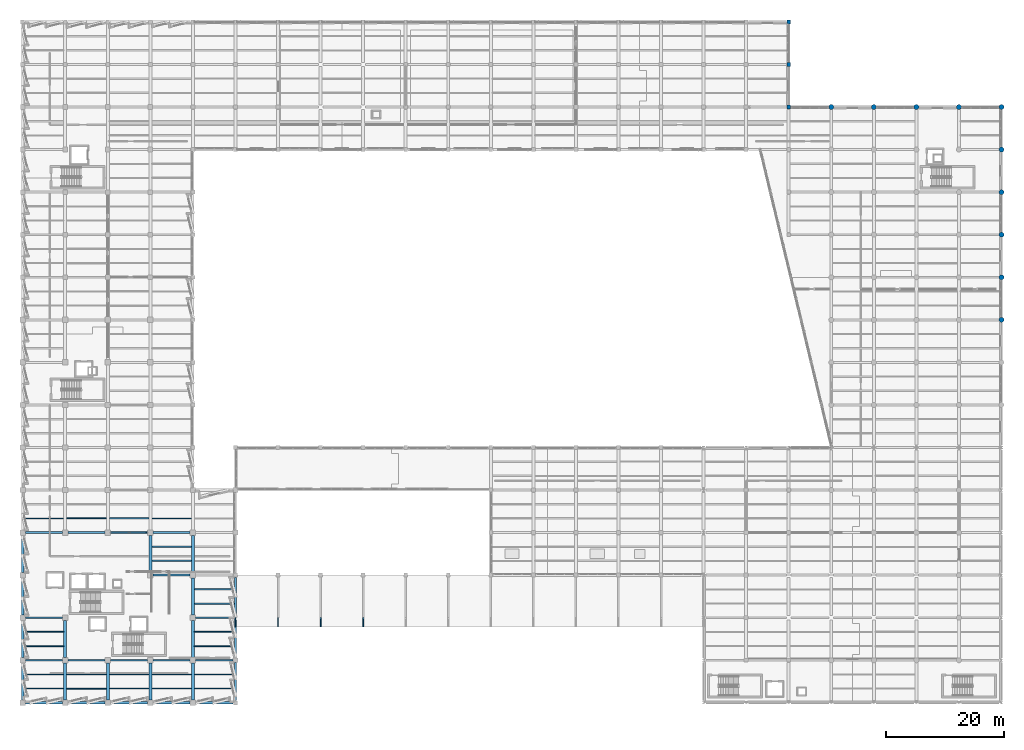
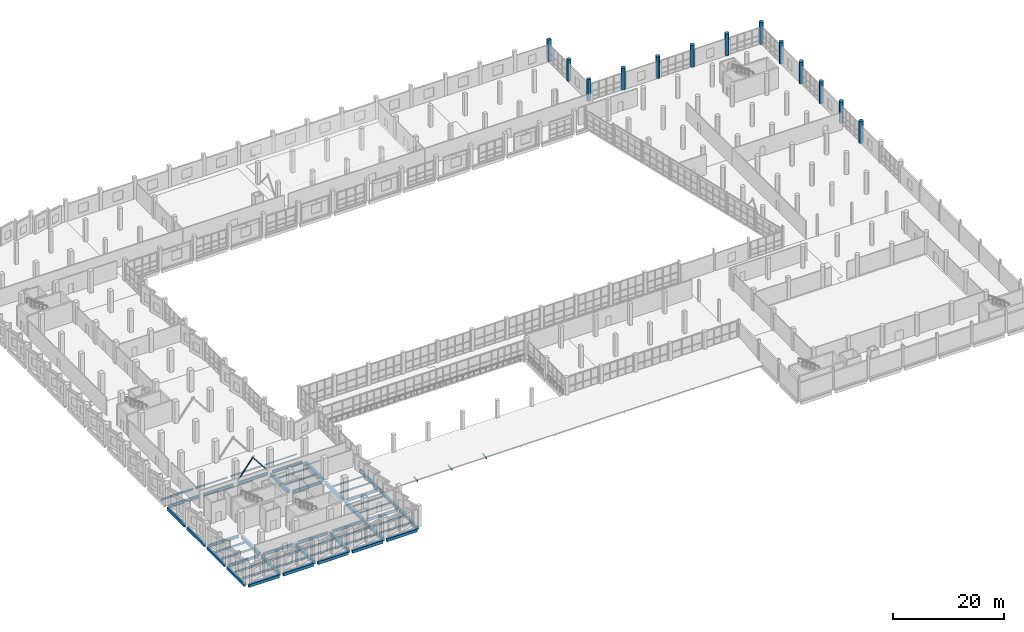
# One storey, part 12 of 127: 55 beams, 13 columns, 6 members.
"""IFC4 building model written with IfcOpenShell, lengths in metres."""

from ifc_helpers import new_model, si_unit, direction, frame, origin, origin_2d, place, context, subcontext, project, spatial, rectangle, hollow_rectangle, circle, i_section, extrude, material, material_profile, profile_set, type_object, element, save


model = new_model("IFC4")

# Units and contexts
model_context = context("Model", 3, precision=1e-05, world=origin(), true_north=direction((0.0, 1.0)))
body_context = subcontext(model_context, "Body", "Model", "MODEL_VIEW")
ifc_project = project(units=[si_unit("LENGTHUNIT", "METRE"), si_unit("AREAUNIT", "SQUARE_METRE"), si_unit("VOLUMEUNIT", "CUBIC_METRE"), si_unit("PLANEANGLEUNIT", "RADIAN"), si_unit("MASSUNIT", "GRAM", prefix="KILO")], contexts=[model_context])

# Site, building, storey
site_placement = place(None, origin())
site = spatial("IfcSite", under=ifc_project, at=site_placement, CompositionType="ELEMENT")
building_placement = place(site_placement, origin())
building = spatial("IfcBuilding", under=site, at=building_placement, Name="Kalmorath City Hall", CompositionType="ELEMENT")
storey_placement = place(building_placement, frame((0.0, 0.0, 5.39990234375)))
storey = spatial("IfcBuildingStorey", under=building, at=storey_placement, Name="L01", CompositionType="ELEMENT", Elevation=5.39990234375)

# Columns
ifc_material_1 = material(Name="Concrete C50/60", Category="concrete")
ifc_material_profile_1 = material_profile(ifc_material_1, circle(Radius=0.425048828125, at=origin_2d()), Name="RC-COL-D850")
ifc_profile_set_1 = profile_set([ifc_material_profile_1], Name="Concrete C50/60")
column_type_1 = type_object("IfcColumnType", Name="Circular concrete column D850", PredefinedType="COLUMN", material=ifc_profile_set_1)
for number, where, z_axis, x_axis, name in (
    (1, (136.800048828125, 100.800048828125, 0.0), (0.0, 0.0, 1.0), (1.0, 0.0, 0.0), "L01 column C7 (20/15)"),
    (2, (144.0, 100.800048828125, 0.0), (0.0, 0.0, 1.0), (1.0, 0.0, 0.0), "L01 column C7 (21/15)"),
    (3, (151.199951171875, 100.800048828125, 0.0), (0.0, 0.0, 1.0), (1.0, 0.0, 0.0), "L01 column C7 (22/15)"),
    (4, (158.39990234375, 100.800048828125, 0.0), (0.0, 0.0, 1.0), (1.0, 0.0, 0.0), "L01 column C7 (23/15)"),
    (5, (165.60009765625, 64.800048828125, 0.0), (0.0, 0.0, 1.0), (1.0, 0.0, 0.0), "L01 column C7 (24/10)"),
    (6, (165.60009765625, 72.0, 0.0), (0.0, 0.0, 1.0), (1.0, 0.0, 0.0), "L01 column C7 (24/11)"),
    (7, (165.60009765625, 79.199951171875, 0.0), (0.0, 0.0, 1.0), (1.0, 0.0, 0.0), "L01 column C7 (24/12)"),
    (8, (165.60009765625, 86.39990234375, 0.0), (0.0, 0.0, 1.0), (1.0, 0.0, 0.0), "L01 column C7 (24/13)"),
    (9, (165.60009765625, 93.60009765625, 0.0), (0.0, 0.0, 1.0), (1.0, 0.0, 0.0), "L01 column C7 (24/14)"),
    (10, (165.60009765625, 100.800048828125, 0.0), (0.0, 0.0, 1.0), (1.0, 0.0, 0.0), "L01 column C7 (24/15)"),
):
    element("IfcColumn", number, at=place(storey_placement, frame(where, z_axis=z_axis, x_axis=x_axis)), inside=storey, type_object=column_type_1, Name=name, PredefinedType="COLUMN", context=body_context, shape_type="SweptSolid", body=[
        extrude(circle(Radius=0.425048828125, at=origin_2d()), origin(), (0.0, 0.0, 1.0), 4.800048828125),
    ])
ifc_material_2 = material(Name="Concrete C50/60", Category="concrete")
ifc_material_profile_2 = material_profile(ifc_material_2, rectangle(XDim=0.64990234375, YDim=0.64990234375, at=origin_2d()), Name="RC-COL-650X650")
ifc_profile_set_2 = profile_set([ifc_material_profile_2], Name="Concrete C50/60")
column_type_2 = type_object("IfcColumnType", Name="Concrete column 650x650", PredefinedType="COLUMN", material=ifc_profile_set_2)
for number, where, z_axis, x_axis, name in (
    (11, (129.60009765625, 100.800048828125, 0.0), (0.0, 0.0, 1.0), (1.0, 0.0, 0.0), "L01 column C5 (19/15)"),
    (12, (129.60009765625, 108.0, 0.0), (0.0, 0.0, 1.0), (1.0, 0.0, 0.0), "L01 column C5 (19/16)"),
    (13, (129.60009765625, 115.199951171875, 0.0), (0.0, 0.0, 1.0), (1.0, 0.0, 0.0), "L01 column C5 (19/17)"),
):
    element("IfcColumn", number, at=place(storey_placement, frame(where, z_axis=z_axis, x_axis=x_axis)), inside=storey, type_object=column_type_2, Name=name, PredefinedType="COLUMN", context=body_context, shape_type="SweptSolid", body=[
        extrude(rectangle(XDim=0.64990234375, YDim=0.64990234375, at=origin_2d()), origin(), (0.0, 0.0, 1.0), 4.800048828125),
    ])

# Beams
ifc_material_3 = material(Name="Concrete C40/50", Category="concrete")
ifc_material_profile_3 = material_profile(ifc_material_3, rectangle(XDim=0.39990234375, YDim=0.60009765625, at=origin_2d()), Name="RC-BM-400X600")
ifc_profile_set_3 = profile_set([ifc_material_profile_3], Name="Concrete C40/50")
beam_type_1 = type_object("IfcBeamType", Name="Concrete edge beam 400x600", PredefinedType="SPANDREL", material=ifc_profile_set_3)
for number, where, z_axis, x_axis, name in (
    (14, (0.0, 0.449951171875, -0.6240234375), (0.0, 1.0, 0.0), (-1.0, 0.0, 0.0), "L01 girder CB6 Y1/1-2"),
    (15, (0.0, 7.64990234375, -0.6240234375), (0.0, 1.0, 0.0), (-1.0, 0.0, 0.0), "L01 girder CB6 Y1/2-3"),
):
    element("IfcBeam", number, at=place(storey_placement, frame(where, z_axis=z_axis, x_axis=x_axis)), inside=storey, type_object=beam_type_1, Name=name, PredefinedType="SPANDREL", context=body_context, shape_type="SweptSolid", body=[
        extrude(rectangle(XDim=0.39990234375, YDim=0.60009765625, at=origin_2d()), origin(), (0.0, 0.0, 1.0), 6.300048828125),
    ])
beam_1_placement = place(storey_placement, frame((0.0, 14.85009765625, -0.6240234375), z_axis=(0.0, 1.0, 0.0), x_axis=(-1.0, 0.0, 0.0)))
element("IfcBeam", 16, at=beam_1_placement, inside=storey, type_object=beam_type_1, Name="L01 girder CB6 Y1/3-4", PredefinedType="SPANDREL", context=body_context, shape_type="SweptSolid", body=[
    extrude(rectangle(XDim=0.39990234375, YDim=0.60009765625, at=origin_2d()), origin(), (0.0, 0.0, 1.0), 6.2998046875),
])
beam_2_placement = place(storey_placement, frame((0.0, 22.050048828125, -0.6240234375), z_axis=(0.0, 1.0, 0.0), x_axis=(-1.0, 0.0, 0.0)))
element("IfcBeam", 17, at=beam_2_placement, inside=storey, type_object=beam_type_1, Name="L01 girder CB6 Y1/4-5", PredefinedType="SPANDREL", context=body_context, shape_type="SweptSolid", body=[
    extrude(rectangle(XDim=0.39990234375, YDim=0.60009765625, at=origin_2d()), origin(), (0.0, 0.0, 1.0), 6.300048828125),
])
beam_3_placement = place(storey_placement, frame((36.0, 0.375, -0.6240234375), z_axis=(0.0, 1.0, 0.0), x_axis=(-1.0, 0.0, 0.0)))
element("IfcBeam", 18, at=beam_3_placement, inside=storey, type_object=beam_type_1, Name="L01 girder CB6 Y6/1-2", PredefinedType="SPANDREL", context=body_context, shape_type="SweptSolid", body=[
    extrude(rectangle(XDim=0.39990234375, YDim=0.60009765625, at=origin_2d()), origin(), (0.0, 0.0, 1.0), 6.425048828125),
])
beam_4_placement = place(storey_placement, frame((36.0, 7.60009765625, -0.6240234375), z_axis=(0.0, 1.0, 0.0), x_axis=(-1.0, 0.0, 0.0)))
element("IfcBeam", 19, at=beam_4_placement, inside=storey, type_object=beam_type_1, Name="L01 girder CB6 Y6/2-3", PredefinedType="SPANDREL", context=body_context, shape_type="SweptSolid", body=[
    extrude(rectangle(XDim=0.39990234375, YDim=0.60009765625, at=origin_2d()), origin(), (0.0, 0.0, 1.0), 6.449951171875),
])
beam_5_placement = place(storey_placement, frame((36.0, 14.75, -0.6240234375), z_axis=(0.0, 1.0, 0.0), x_axis=(-1.0, 0.0, 0.0)))
element("IfcBeam", 20, at=beam_5_placement, inside=storey, type_object=beam_type_1, Name="L01 girder CB6 Y6/3-4", PredefinedType="SPANDREL", context=body_context, shape_type="SweptSolid", body=[
    extrude(rectangle(XDim=0.39990234375, YDim=0.60009765625, at=origin_2d()), origin(), (0.0, 0.0, 1.0), 6.47509765625),
])
ifc_material_4 = material(Name="Concrete C40/50", Category="concrete")
ifc_material_profile_4 = material_profile(ifc_material_4, rectangle(XDim=0.5, YDim=0.75, at=origin_2d()), Name="RC-BM-500X750")
ifc_profile_set_4 = profile_set([ifc_material_profile_4], Name="Concrete C40/50")
beam_type_2 = type_object("IfcBeamType", Name="Concrete floor beam 500x750", PredefinedType="BEAM", material=ifc_profile_set_4)
for number, where, z_axis, x_axis, name in (
    (21, (7.199951171875, 0.449951171875, -0.698974609375), (0.0, 1.0, 0.0), (-1.0, 0.0, 0.0), "L01 girder CB3 Y2/1-2"),
    (22, (7.199951171875, 7.64990234375, -0.698974609375), (0.0, 1.0, 0.0), (-1.0, 0.0, 0.0), "L01 girder CB3 Y2/2-3"),
    (23, (14.39990234375, 0.449951171875, -0.698974609375), (0.0, 1.0, 0.0), (-1.0, 0.0, 0.0), "L01 girder CB3 Y3/1-2"),
    (24, (21.60009765625, 0.449951171875, -0.698974609375), (0.0, 1.0, 0.0), (-1.0, 0.0, 0.0), "L01 girder CB3 Y4/1-2"),
    (25, (21.60009765625, 22.050048828125, -0.698974609375), (0.0, 1.0, 0.0), (-1.0, 0.0, 0.0), "L01 girder CB3 Y4/4-5"),
    (26, (28.800048828125, 0.449951171875, -0.698974609375), (0.0, 1.0, 0.0), (-1.0, 0.0, 0.0), "L01 girder CB3 Y5/1-2"),
    (27, (28.800048828125, 7.64990234375, -0.698974609375), (0.0, 1.0, 0.0), (-1.0, 0.0, 0.0), "L01 girder CB3 Y5/2-3"),
):
    element("IfcBeam", number, at=place(storey_placement, frame(where, z_axis=z_axis, x_axis=x_axis)), inside=storey, type_object=beam_type_2, Name=name, PredefinedType="BEAM", context=body_context, shape_type="SweptSolid", body=[
        extrude(rectangle(XDim=0.5, YDim=0.75, at=origin_2d()), origin(), (0.0, 0.0, 1.0), 6.300048828125),
    ])
beam_6_placement = place(storey_placement, frame((28.800048828125, 14.85009765625, -0.698974609375), z_axis=(0.0, 1.0, 0.0), x_axis=(-1.0, 0.0, 0.0)))
element("IfcBeam", 28, at=beam_6_placement, inside=storey, type_object=beam_type_2, Name="L01 girder CB3 Y5/3-4", PredefinedType="BEAM", context=body_context, shape_type="SweptSolid", body=[
    extrude(rectangle(XDim=0.5, YDim=0.75, at=origin_2d()), origin(), (0.0, 0.0, 1.0), 6.2998046875),
])
beam_7_placement = place(storey_placement, frame((28.800048828125, 22.050048828125, -0.698974609375), z_axis=(0.0, 1.0, 0.0), x_axis=(-1.0, 0.0, 0.0)))
element("IfcBeam", 29, at=beam_7_placement, inside=storey, type_object=beam_type_2, Name="L01 girder CB3 Y5/4-5", PredefinedType="BEAM", context=body_context, shape_type="SweptSolid", body=[
    extrude(rectangle(XDim=0.5, YDim=0.75, at=origin_2d()), origin(), (0.0, 0.0, 1.0), 6.300048828125),
])
ifc_material_5 = material(Name="Concrete C40/50", Category="concrete")
ifc_material_profile_5 = material_profile(ifc_material_5, rectangle(XDim=0.449951171875, YDim=0.64990234375, at=origin_2d()), Name="RC-BM-450X650")
ifc_profile_set_5 = profile_set([ifc_material_profile_5], Name="Concrete C40/50")
beam_type_3 = type_object("IfcBeamType", Name="Concrete spandrel beam 450x650", PredefinedType="SPANDREL", material=ifc_profile_set_5)
for number, where, z_axis, x_axis, name in (
    (30, (0.449951171875, 0.0, -0.64892578125), (1.0, 0.0, 0.0), (0.0, 1.0, 0.0), "L01 girder CB5 X1-2/1"),
    (31, (7.64990234375, 0.0, -0.64892578125), (1.0, 0.0, 0.0), (0.0, 1.0, 0.0), "L01 girder CB5 X2-3/1"),
):
    element("IfcBeam", number, at=place(storey_placement, frame(where, z_axis=z_axis, x_axis=x_axis)), inside=storey, type_object=beam_type_3, Name=name, PredefinedType="SPANDREL", context=body_context, shape_type="SweptSolid", body=[
        extrude(rectangle(XDim=0.449951171875, YDim=0.64990234375, at=origin_2d()), origin(), (0.0, 0.0, 1.0), 6.300048828125),
    ])
beam_8_placement = place(storey_placement, frame((14.85009765625, 0.0, -0.64892578125), z_axis=(1.0, 0.0, 0.0), x_axis=(0.0, 1.0, 0.0)))
element("IfcBeam", 32, at=beam_8_placement, inside=storey, type_object=beam_type_3, Name="L01 girder CB5 X3-4/1", PredefinedType="SPANDREL", context=body_context, shape_type="SweptSolid", body=[
    extrude(rectangle(XDim=0.449951171875, YDim=0.64990234375, at=origin_2d()), origin(), (0.0, 0.0, 1.0), 6.2998046875),
])
beam_9_placement = place(storey_placement, frame((22.050048828125, 0.0, -0.64892578125), z_axis=(1.0, 0.0, 0.0), x_axis=(0.0, 1.0, 0.0)))
element("IfcBeam", 33, at=beam_9_placement, inside=storey, type_object=beam_type_3, Name="L01 girder CB5 X4-5/1", PredefinedType="SPANDREL", context=body_context, shape_type="SweptSolid", body=[
    extrude(rectangle(XDim=0.449951171875, YDim=0.64990234375, at=origin_2d()), origin(), (0.0, 0.0, 1.0), 6.300048828125),
])
beam_10_placement = place(storey_placement, frame((29.25, 0.0, -0.64892578125), z_axis=(1.0, 0.0, 0.0), x_axis=(0.0, 1.0, 0.0)))
element("IfcBeam", 34, at=beam_10_placement, inside=storey, type_object=beam_type_3, Name="L01 girder CB5 X5-6/1", PredefinedType="SPANDREL", context=body_context, shape_type="SweptSolid", body=[
    extrude(rectangle(XDim=0.449951171875, YDim=0.64990234375, at=origin_2d()), origin(), (0.0, 0.0, 1.0), 6.375),
])
ifc_material_6 = material(Name="Steel ASTM A992 Grade 50", Category="steel")
ifc_material_profile_6 = material_profile(ifc_material_6, i_section(OverallWidth=0.177001953125, OverallDepth=0.403076171875, WebThickness=0.007568359375, FlangeThickness=0.010986328125, FilletRadius=0.012939453125, at=origin_2d()), Name="W16X36")
ifc_profile_set_6 = profile_set([ifc_material_profile_6], Name="Steel ASTM A992 Grade 50")
beam_type_4 = type_object("IfcBeamType", Name="Steel composite joist W16X36", PredefinedType="JOIST", material=ifc_profile_set_6)
for number, where, z_axis, x_axis, name in (
    (35, (0.199951171875, 31.199951171875, -0.525390625), (1.0, 0.0, 0.0), (0.0, 1.0, 0.0), "L01 joist SJ7 1.5.1"),
    (36, (29.050048828125, 2.39990234375, -0.525390625), (1.0, 0.0, 0.0), (0.0, 1.0, 0.0), "L01 joist SJ7 5.1.1"),
    (37, (29.050048828125, 4.800048828125, -0.525390625), (1.0, 0.0, 0.0), (0.0, 1.0, 0.0), "L01 joist SJ7 5.1.2"),
):
    element("IfcBeam", number, at=place(storey_placement, frame(where, z_axis=z_axis, x_axis=x_axis)), inside=storey, type_object=beam_type_4, Name=name, PredefinedType="JOIST", context=body_context, shape_type="SweptSolid", body=[
        extrude(i_section(OverallWidth=0.177001953125, OverallDepth=0.403076171875, WebThickness=0.007568359375, FlangeThickness=0.010986328125, FilletRadius=0.012939453125, at=origin_2d()), origin(), (0.0, 0.0, 1.0), 6.75),
    ])
ifc_material_7 = material(Name="Steel ASTM A992 Grade 50", Category="steel")
ifc_material_profile_7 = material_profile(ifc_material_7, i_section(OverallWidth=0.178955078125, OverallDepth=0.409912109375, WebThickness=0.0087890625, FlangeThickness=0.014404296875, FilletRadius=0.012939453125, at=origin_2d()), Name="W16X45")
ifc_profile_set_7 = profile_set([ifc_material_profile_7], Name="Steel ASTM A992 Grade 50")
beam_type_5 = type_object("IfcBeamType", Name="Steel composite joist W16X45", PredefinedType="JOIST", material=ifc_profile_set_7)
for number, where, z_axis, x_axis, name in (
    (38, (21.85009765625, 2.39990234375, -0.52880859375), (1.0, 0.0, 0.0), (0.0, 1.0, 0.0), "L01 joist SJ6 4.1.1"),
    (39, (21.85009765625, 4.800048828125, -0.52880859375), (1.0, 0.0, 0.0), (0.0, 1.0, 0.0), "L01 joist SJ6 4.1.2"),
):
    element("IfcBeam", number, at=place(storey_placement, frame(where, z_axis=z_axis, x_axis=x_axis)), inside=storey, type_object=beam_type_5, Name=name, PredefinedType="JOIST", context=body_context, shape_type="SweptSolid", body=[
        extrude(i_section(OverallWidth=0.178955078125, OverallDepth=0.409912109375, WebThickness=0.0087890625, FlangeThickness=0.014404296875, FilletRadius=0.012939453125, at=origin_2d()), origin(), (0.0, 0.0, 1.0), 6.699951171875),
    ])
ifc_material_8 = material(Name="Steel ASTM A992 Grade 50", Category="steel")
ifc_material_profile_8 = material_profile(ifc_material_8, i_section(OverallWidth=0.180908203125, OverallDepth=0.4169921875, WebThickness=0.010986328125, FlangeThickness=0.018310546875, FilletRadius=0.012939453125, at=origin_2d()), Name="W16X57")
ifc_profile_set_8 = profile_set([ifc_material_profile_8], Name="Steel ASTM A992 Grade 50")
beam_type_6 = type_object("IfcBeamType", Name="Steel composite joist W16X57", PredefinedType="JOIST", material=ifc_profile_set_8)
for number, where, z_axis, x_axis, name in (
    (40, (14.64990234375, 2.39990234375, -0.532470703125), (1.0, 0.0, 0.0), (0.0, 1.0, 0.0), "L01 joist SJ5 3.1.1"),
    (41, (14.64990234375, 4.800048828125, -0.532470703125), (1.0, 0.0, 0.0), (0.0, 1.0, 0.0), "L01 joist SJ5 3.1.2"),
):
    element("IfcBeam", number, at=place(storey_placement, frame(where, z_axis=z_axis, x_axis=x_axis)), inside=storey, type_object=beam_type_6, Name=name, PredefinedType="JOIST", context=body_context, shape_type="SweptSolid", body=[
        extrude(i_section(OverallWidth=0.180908203125, OverallDepth=0.4169921875, WebThickness=0.010986328125, FlangeThickness=0.018310546875, FilletRadius=0.012939453125, at=origin_2d()), origin(), (0.0, 0.0, 1.0), 6.7001953125),
    ])
ifc_material_9 = material(Name="Steel ASTM A992 Grade 50", Category="steel")
ifc_material_profile_9 = material_profile(ifc_material_9, i_section(OverallWidth=0.153076171875, OverallDepth=0.455078125, WebThickness=0.008056640625, FlangeThickness=0.01318359375, FilletRadius=0.013916015625, at=origin_2d()), Name="W18X40")
ifc_profile_set_9 = profile_set([ifc_material_profile_9], Name="Steel ASTM A992 Grade 50")
beam_type_7 = type_object("IfcBeamType", Name="Steel composite joist W18X40", PredefinedType="JOIST", material=ifc_profile_set_9)
for number, where, z_axis, x_axis, name in (
    (42, (0.199951171875, 9.60009765625, -0.551513671875), (1.0, 0.0, 0.0), (0.0, 1.0, 0.0), "L01 joist SJ4 1.2.1"),
    (43, (0.199951171875, 12.0, -0.551513671875), (1.0, 0.0, 0.0), (0.0, 1.0, 0.0), "L01 joist SJ4 1.2.2"),
):
    element("IfcBeam", number, at=place(storey_placement, frame(where, z_axis=z_axis, x_axis=x_axis)), inside=storey, type_object=beam_type_7, Name=name, PredefinedType="JOIST", context=body_context, shape_type="SweptSolid", body=[
        extrude(i_section(OverallWidth=0.153076171875, OverallDepth=0.455078125, WebThickness=0.008056640625, FlangeThickness=0.01318359375, FilletRadius=0.013916015625, at=origin_2d()), origin(), (0.0, 0.0, 1.0), 6.75),
    ])
for number, where, z_axis, x_axis, name in (
    (44, (7.449951171875, 2.39990234375, -0.551513671875), (1.0, 0.0, 0.0), (0.0, 1.0, 0.0), "L01 joist SJ4 2.1.1"),
    (45, (7.449951171875, 4.800048828125, -0.551513671875), (1.0, 0.0, 0.0), (0.0, 1.0, 0.0), "L01 joist SJ4 2.1.2"),
):
    element("IfcBeam", number, at=place(storey_placement, frame(where, z_axis=z_axis, x_axis=x_axis)), inside=storey, type_object=beam_type_7, Name=name, PredefinedType="JOIST", context=body_context, shape_type="SweptSolid", body=[
        extrude(i_section(OverallWidth=0.153076171875, OverallDepth=0.455078125, WebThickness=0.008056640625, FlangeThickness=0.01318359375, FilletRadius=0.013916015625, at=origin_2d()), origin(), (0.0, 0.0, 1.0), 6.699951171875),
    ])
ifc_material_10 = material(Name="Steel ASTM A992 Grade 50", Category="steel")
ifc_material_profile_10 = material_profile(ifc_material_10, i_section(OverallWidth=0.19091796875, OverallDepth=0.45703125, WebThickness=0.009033203125, FlangeThickness=0.014404296875, FilletRadius=0.013916015625, at=origin_2d()), Name="W18X50")
ifc_profile_set_10 = profile_set([ifc_material_profile_10], Name="Steel ASTM A992 Grade 50")
beam_type_8 = type_object("IfcBeamType", Name="Steel composite joist W18X50", PredefinedType="JOIST", material=ifc_profile_set_10)
for number, where, z_axis, x_axis, name in (
    (46, (0.199951171875, 2.39990234375, -0.552490234375), (1.0, 0.0, 0.0), (0.0, 1.0, 0.0), "L01 joist SJ3 1.1.1"),
    (47, (0.199951171875, 4.800048828125, -0.552490234375), (1.0, 0.0, 0.0), (0.0, 1.0, 0.0), "L01 joist SJ3 1.1.2"),
):
    element("IfcBeam", number, at=place(storey_placement, frame(where, z_axis=z_axis, x_axis=x_axis)), inside=storey, type_object=beam_type_8, Name=name, PredefinedType="JOIST", context=body_context, shape_type="SweptSolid", body=[
        extrude(i_section(OverallWidth=0.19091796875, OverallDepth=0.45703125, WebThickness=0.009033203125, FlangeThickness=0.014404296875, FilletRadius=0.013916015625, at=origin_2d()), origin(), (0.0, 0.0, 1.0), 6.75),
    ])

# Members
ifc_material_11 = material(Name="Steel ASTM A992 Grade 50", Category="steel")
ifc_material_profile_11 = material_profile(ifc_material_11, i_section(OverallWidth=0.1669921875, OverallDepth=0.318115234375, WebThickness=0.007568359375, FlangeThickness=0.01318359375, FilletRadius=0.012939453125, at=origin_2d()), Name="W12X35")
ifc_profile_set_11 = profile_set([ifc_material_profile_11], Name="Steel ASTM A992 Grade 50")
member_type_1 = type_object("IfcMemberType", Name="Steel eave outlooker rafter W12X35", PredefinedType="RAFTER", material=ifc_profile_set_11)
for number, where, z_axis, x_axis, name in (
    (48, (36.0, 12.89990234375, -0.3798828125), (0.0, 0.999199399207, 0.040007007195), (-1.0, 0.0, 0.0), "Storm arcade eave outlooker RF4-1"),
    (49, (43.199951171875, 12.89990234375, -0.3798828125), (0.0, 0.999199399207, 0.040007007195), (-1.0, 0.0, 0.0), "Storm arcade eave outlooker RF4-2"),
    (50, (50.39990234375, 12.89990234375, -0.3798828125), (0.0, 0.999199399207, 0.040007007195), (-1.0, 0.0, 0.0), "Storm arcade eave outlooker RF4-3"),
    (51, (57.60009765625, 12.89990234375, -0.3798828125), (0.0, 0.999199399207, 0.040007007195), (-1.0, 0.0, 0.0), "Storm arcade eave outlooker RF4-4"),
):
    element("IfcMember", number, at=place(storey_placement, frame(where, z_axis=z_axis, x_axis=x_axis)), inside=storey, type_object=member_type_1, Name=name, PredefinedType="RAFTER", context=body_context, shape_type="SweptSolid", body=[
        extrude(i_section(OverallWidth=0.1669921875, OverallDepth=0.318115234375, WebThickness=0.007568359375, FlangeThickness=0.01318359375, FilletRadius=0.012939453125, at=origin_2d()), origin(), (0.0, 0.0, 1.0), 1.501220703125),
    ])

# Beams
ifc_material_12 = material(Name="Steel ASTM A992 Grade 50", Category="steel")
ifc_material_profile_12 = material_profile(ifc_material_12, i_section(OverallWidth=0.202880859375, OverallDepth=0.202880859375, WebThickness=0.007080078125, FlangeThickness=0.010986328125, FilletRadius=0.010986328125, at=origin_2d()), Name="W8X31")
ifc_profile_set_12 = profile_set([ifc_material_profile_12], Name="Steel ASTM A992 Grade 50")
beam_type_9 = type_object("IfcBeamType", Name="Steel edge trimmer W8X31", PredefinedType="LINTEL", material=ifc_profile_set_12)
beam_11_placement = place(storey_placement, frame((21.85009765625, 31.199951171875, -0.42529296875), z_axis=(1.0, 0.0, 0.0), x_axis=(0.0, 1.0, 0.0)))
element("IfcBeam", 52, at=beam_11_placement, inside=storey, type_object=beam_type_9, Name="L01 joist SJ16 4.5.1", PredefinedType="LINTEL", context=body_context, shape_type="SweptSolid", body=[
    extrude(i_section(OverallWidth=0.202880859375, OverallDepth=0.202880859375, WebThickness=0.007080078125, FlangeThickness=0.010986328125, FilletRadius=0.010986328125, at=origin_2d()), origin(), (0.0, 0.0, 1.0), 6.699951171875),
])
ifc_material_13 = material(Name="Steel ASTM A992 Grade 50", Category="steel")
ifc_material_profile_13 = material_profile(ifc_material_13, i_section(OverallWidth=0.323974609375, OverallDepth=0.611083984375, WebThickness=0.0126953125, FlangeThickness=0.01904296875, FilletRadius=0.01611328125, at=origin_2d()), Name="W24X104")
ifc_profile_set_13 = profile_set([ifc_material_profile_13], Name="Steel ASTM A992 Grade 50")
beam_type_10 = type_object("IfcBeamType", Name="Steel floor girder W24X104", PredefinedType="BEAM", material=ifc_profile_set_13)
for number, where, z_axis, x_axis, name in (
    (53, (0.449951171875, 7.199951171875, -0.62939453125), (1.0, 0.0, 0.0), (0.0, 1.0, 0.0), "L01 girder SG7 X1-2/2"),
    (54, (7.64990234375, 7.199951171875, -0.62939453125), (1.0, 0.0, 0.0), (0.0, 1.0, 0.0), "L01 girder SG7 X2-3/2"),
):
    element("IfcBeam", number, at=place(storey_placement, frame(where, z_axis=z_axis, x_axis=x_axis)), inside=storey, type_object=beam_type_10, Name=name, PredefinedType="BEAM", context=body_context, shape_type="SweptSolid", body=[
        extrude(i_section(OverallWidth=0.323974609375, OverallDepth=0.611083984375, WebThickness=0.0126953125, FlangeThickness=0.01904296875, FilletRadius=0.01611328125, at=origin_2d()), origin(), (0.0, 0.0, 1.0), 6.300048828125),
    ])
beam_12_placement = place(storey_placement, frame((14.85009765625, 7.199951171875, -0.62939453125), z_axis=(1.0, 0.0, 0.0), x_axis=(0.0, 1.0, 0.0)))
element("IfcBeam", 55, at=beam_12_placement, inside=storey, type_object=beam_type_10, Name="L01 girder SG7 X3-4/2", PredefinedType="BEAM", context=body_context, shape_type="SweptSolid", body=[
    extrude(i_section(OverallWidth=0.323974609375, OverallDepth=0.611083984375, WebThickness=0.0126953125, FlangeThickness=0.01904296875, FilletRadius=0.01611328125, at=origin_2d()), origin(), (0.0, 0.0, 1.0), 6.2998046875),
])
beam_13_placement = place(storey_placement, frame((22.050048828125, 7.199951171875, -0.62939453125), z_axis=(1.0, 0.0, 0.0), x_axis=(0.0, 1.0, 0.0)))
element("IfcBeam", 56, at=beam_13_placement, inside=storey, type_object=beam_type_10, Name="L01 girder SG7 X4-5/2", PredefinedType="BEAM", context=body_context, shape_type="SweptSolid", body=[
    extrude(i_section(OverallWidth=0.323974609375, OverallDepth=0.611083984375, WebThickness=0.0126953125, FlangeThickness=0.01904296875, FilletRadius=0.01611328125, at=origin_2d()), origin(), (0.0, 0.0, 1.0), 6.300048828125),
])
beam_14_placement = place(storey_placement, frame((29.25, 7.199951171875, -0.62939453125), z_axis=(1.0, 0.0, 0.0), x_axis=(0.0, 1.0, 0.0)))
element("IfcBeam", 57, at=beam_14_placement, inside=storey, type_object=beam_type_10, Name="L01 girder SG7 X5-6/2", PredefinedType="BEAM", context=body_context, shape_type="SweptSolid", body=[
    extrude(i_section(OverallWidth=0.323974609375, OverallDepth=0.611083984375, WebThickness=0.0126953125, FlangeThickness=0.01904296875, FilletRadius=0.01611328125, at=origin_2d()), origin(), (0.0, 0.0, 1.0), 6.35009765625),
])
beam_15_placement = place(storey_placement, frame((0.449951171875, 14.39990234375, -0.62939453125), z_axis=(1.0, 0.0, 0.0), x_axis=(0.0, 1.0, 0.0)))
element("IfcBeam", 58, at=beam_15_placement, inside=storey, type_object=beam_type_10, Name="L01 girder SG7 X1-2/3", PredefinedType="BEAM", context=body_context, shape_type="SweptSolid", body=[
    extrude(i_section(OverallWidth=0.323974609375, OverallDepth=0.611083984375, WebThickness=0.0126953125, FlangeThickness=0.01904296875, FilletRadius=0.01611328125, at=origin_2d()), origin(), (0.0, 0.0, 1.0), 6.300048828125),
])
beam_16_placement = place(storey_placement, frame((29.25, 14.39990234375, -0.62939453125), z_axis=(1.0, 0.0, 0.0), x_axis=(0.0, 1.0, 0.0)))
element("IfcBeam", 59, at=beam_16_placement, inside=storey, type_object=beam_type_10, Name="L01 girder SG7 X5-6/3", PredefinedType="BEAM", context=body_context, shape_type="SweptSolid", body=[
    extrude(i_section(OverallWidth=0.323974609375, OverallDepth=0.611083984375, WebThickness=0.0126953125, FlangeThickness=0.01904296875, FilletRadius=0.01611328125, at=origin_2d()), origin(), (0.0, 0.0, 1.0), 6.39990234375),
])
for number, where, z_axis, x_axis, name in (
    (60, (22.050048828125, 21.60009765625, -0.62939453125), (1.0, 0.0, 0.0), (0.0, 1.0, 0.0), "L01 girder SG7 X4-5/4"),
    (61, (0.449951171875, 28.800048828125, -0.62939453125), (1.0, 0.0, 0.0), (0.0, 1.0, 0.0), "L01 girder SG7 X1-2/5"),
    (62, (7.64990234375, 28.800048828125, -0.62939453125), (1.0, 0.0, 0.0), (0.0, 1.0, 0.0), "L01 girder SG7 X2-3/5"),
):
    element("IfcBeam", number, at=place(storey_placement, frame(where, z_axis=z_axis, x_axis=x_axis)), inside=storey, type_object=beam_type_10, Name=name, PredefinedType="BEAM", context=body_context, shape_type="SweptSolid", body=[
        extrude(i_section(OverallWidth=0.323974609375, OverallDepth=0.611083984375, WebThickness=0.0126953125, FlangeThickness=0.01904296875, FilletRadius=0.01611328125, at=origin_2d()), origin(), (0.0, 0.0, 1.0), 6.300048828125),
    ])
beam_17_placement = place(storey_placement, frame((14.85009765625, 28.800048828125, -0.62939453125), z_axis=(1.0, 0.0, 0.0), x_axis=(0.0, 1.0, 0.0)))
element("IfcBeam", 63, at=beam_17_placement, inside=storey, type_object=beam_type_10, Name="L01 girder SG7 X3-4/5", PredefinedType="BEAM", context=body_context, shape_type="SweptSolid", body=[
    extrude(i_section(OverallWidth=0.323974609375, OverallDepth=0.611083984375, WebThickness=0.0126953125, FlangeThickness=0.01904296875, FilletRadius=0.01611328125, at=origin_2d()), origin(), (0.0, 0.0, 1.0), 6.2998046875),
])
beam_18_placement = place(storey_placement, frame((22.050048828125, 28.800048828125, -0.62939453125), z_axis=(1.0, 0.0, 0.0), x_axis=(0.0, 1.0, 0.0)))
element("IfcBeam", 64, at=beam_18_placement, inside=storey, type_object=beam_type_10, Name="L01 girder SG7 X4-5/5", PredefinedType="BEAM", context=body_context, shape_type="SweptSolid", body=[
    extrude(i_section(OverallWidth=0.323974609375, OverallDepth=0.611083984375, WebThickness=0.0126953125, FlangeThickness=0.01904296875, FilletRadius=0.01611328125, at=origin_2d()), origin(), (0.0, 0.0, 1.0), 6.300048828125),
])
ifc_material_14 = material(Name="Steel ASTM A992 Grade 50", Category="steel")
ifc_material_profile_14 = material_profile(ifc_material_14, i_section(OverallWidth=0.1669921875, OverallDepth=0.318115234375, WebThickness=0.007568359375, FlangeThickness=0.01318359375, FilletRadius=0.012939453125, at=origin_2d()), Name="W12X35")
ifc_profile_set_14 = profile_set([ifc_material_profile_14], Name="Steel ASTM A992 Grade 50")
beam_type_11 = type_object("IfcBeamType", Name="Steel header lintel W12X35", PredefinedType="LINTEL", material=ifc_profile_set_14)
beam_19_placement = place(storey_placement, frame((7.449951171875, 31.199951171875, -0.48291015625), z_axis=(1.0, 0.0, 0.0), x_axis=(0.0, 1.0, 0.0)))
element("IfcBeam", 65, at=beam_19_placement, inside=storey, type_object=beam_type_11, Name="L01 joist SJ13 2.5.1", PredefinedType="LINTEL", context=body_context, shape_type="SweptSolid", body=[
    extrude(i_section(OverallWidth=0.1669921875, OverallDepth=0.318115234375, WebThickness=0.007568359375, FlangeThickness=0.01318359375, FilletRadius=0.012939453125, at=origin_2d()), origin(), (0.0, 0.0, 1.0), 6.699951171875),
])
for number, where, z_axis, x_axis, name in (
    (66, (29.050048828125, 9.60009765625, -0.48291015625), (1.0, 0.0, 0.0), (0.0, 1.0, 0.0), "L01 joist SJ13 5.2.1"),
    (67, (29.050048828125, 12.0, -0.48291015625), (1.0, 0.0, 0.0), (0.0, 1.0, 0.0), "L01 joist SJ13 5.2.2"),
):
    element("IfcBeam", number, at=place(storey_placement, frame(where, z_axis=z_axis, x_axis=x_axis)), inside=storey, type_object=beam_type_11, Name=name, PredefinedType="LINTEL", context=body_context, shape_type="SweptSolid", body=[
        extrude(i_section(OverallWidth=0.1669921875, OverallDepth=0.318115234375, WebThickness=0.007568359375, FlangeThickness=0.01318359375, FilletRadius=0.012939453125, at=origin_2d()), origin(), (0.0, 0.0, 1.0), 6.75),
    ])

# Members
ifc_material_15 = material(Name="Steel ASTM A500 Grade C", Category="steel")
ifc_material_profile_15 = material_profile(ifc_material_15, hollow_rectangle(XDim=0.177978515625, YDim=0.177978515625, WallThickness=0.0087890625, InnerFilletRadius=0.0087890625, OuterFilletRadius=0.017822265625, at=origin_2d()), Name="HSS178X178X9.5")
ifc_profile_set_15 = profile_set([ifc_material_profile_15], Name="Steel ASTM A500 Grade C")
member_type_2 = type_object("IfcMemberType", Name="Steel seismic brace HSS178X178X9.5", PredefinedType="BRACE", material=ifc_profile_set_15)
for number, where, z_axis, x_axis, name in (
    (68, (14.85009765625, 28.800048828125, 0.0), (0.616769609155, 0.0, 0.787143728441), (0.0, 1.0, 0.0), "L01 chevron brace BR3 1A"),
    (69, (21.14990234375, 28.800048828125, 0.0), (-0.616769609155, 0.0, 0.787143728441), (0.0, -1.0, 0.0), "L01 chevron brace BR3 1B"),
):
    element("IfcMember", number, at=place(storey_placement, frame(where, z_axis=z_axis, x_axis=x_axis)), inside=storey, type_object=member_type_2, Name=name, PredefinedType="BRACE", context=body_context, shape_type="SweptSolid", body=[
        extrude(hollow_rectangle(XDim=0.177978515625, YDim=0.177978515625, WallThickness=0.0087890625, InnerFilletRadius=0.0087890625, OuterFilletRadius=0.017822265625, at=origin_2d()), origin(), (0.0, 0.0, 1.0), 5.107177734375),
    ])

# Beams
ifc_material_16 = material(Name="Steel ASTM A992 Grade 50", Category="steel")
ifc_material_profile_16 = material_profile(ifc_material_16, i_section(OverallWidth=0.25390625, OverallDepth=0.2529296875, WebThickness=0.008544921875, FlangeThickness=0.01416015625, FilletRadius=0.011962890625, at=origin_2d()), Name="W10X49")
ifc_profile_set_16 = profile_set([ifc_material_profile_16], Name="Steel ASTM A992 Grade 50")
beam_type_12 = type_object("IfcBeamType", Name="Steel trimmer beam W10X49", PredefinedType="BEAM", material=ifc_profile_set_16)
beam_20_placement = place(storey_placement, frame((14.64990234375, 31.199951171875, -0.450439453125), z_axis=(1.0, 0.0, 0.0), x_axis=(0.0, 1.0, 0.0)))
element("IfcBeam", 70, at=beam_20_placement, inside=storey, type_object=beam_type_12, Name="L01 joist SJ14 3.5.1", PredefinedType="BEAM", context=body_context, shape_type="SweptSolid", body=[
    extrude(i_section(OverallWidth=0.25390625, OverallDepth=0.2529296875, WebThickness=0.008544921875, FlangeThickness=0.01416015625, FilletRadius=0.011962890625, at=origin_2d()), origin(), (0.0, 0.0, 1.0), 6.7001953125),
])
for number, where, z_axis, x_axis, name in (
    (71, (21.85009765625, 24.0, -0.450439453125), (1.0, 0.0, 0.0), (0.0, 1.0, 0.0), "L01 joist SJ14 4.4.1"),
    (72, (21.85009765625, 26.39990234375, -0.450439453125), (1.0, 0.0, 0.0), (0.0, 1.0, 0.0), "L01 joist SJ14 4.4.2"),
):
    element("IfcBeam", number, at=place(storey_placement, frame(where, z_axis=z_axis, x_axis=x_axis)), inside=storey, type_object=beam_type_12, Name=name, PredefinedType="BEAM", context=body_context, shape_type="SweptSolid", body=[
        extrude(i_section(OverallWidth=0.25390625, OverallDepth=0.2529296875, WebThickness=0.008544921875, FlangeThickness=0.01416015625, FilletRadius=0.011962890625, at=origin_2d()), origin(), (0.0, 0.0, 1.0), 6.699951171875),
    ])
for number, where, z_axis, x_axis, name in (
    (73, (29.050048828125, 16.800048828125, -0.450439453125), (1.0, 0.0, 0.0), (0.0, 1.0, 0.0), "L01 joist SJ14 5.3.1"),
    (74, (29.050048828125, 19.199951171875, -0.450439453125), (1.0, 0.0, 0.0), (0.0, 1.0, 0.0), "L01 joist SJ14 5.3.2"),
):
    element("IfcBeam", number, at=place(storey_placement, frame(where, z_axis=z_axis, x_axis=x_axis)), inside=storey, type_object=beam_type_12, Name=name, PredefinedType="BEAM", context=body_context, shape_type="SweptSolid", body=[
        extrude(i_section(OverallWidth=0.25390625, OverallDepth=0.2529296875, WebThickness=0.008544921875, FlangeThickness=0.01416015625, FilletRadius=0.011962890625, at=origin_2d()), origin(), (0.0, 0.0, 1.0), 6.75),
    ])

save(model, "model.ifc")
